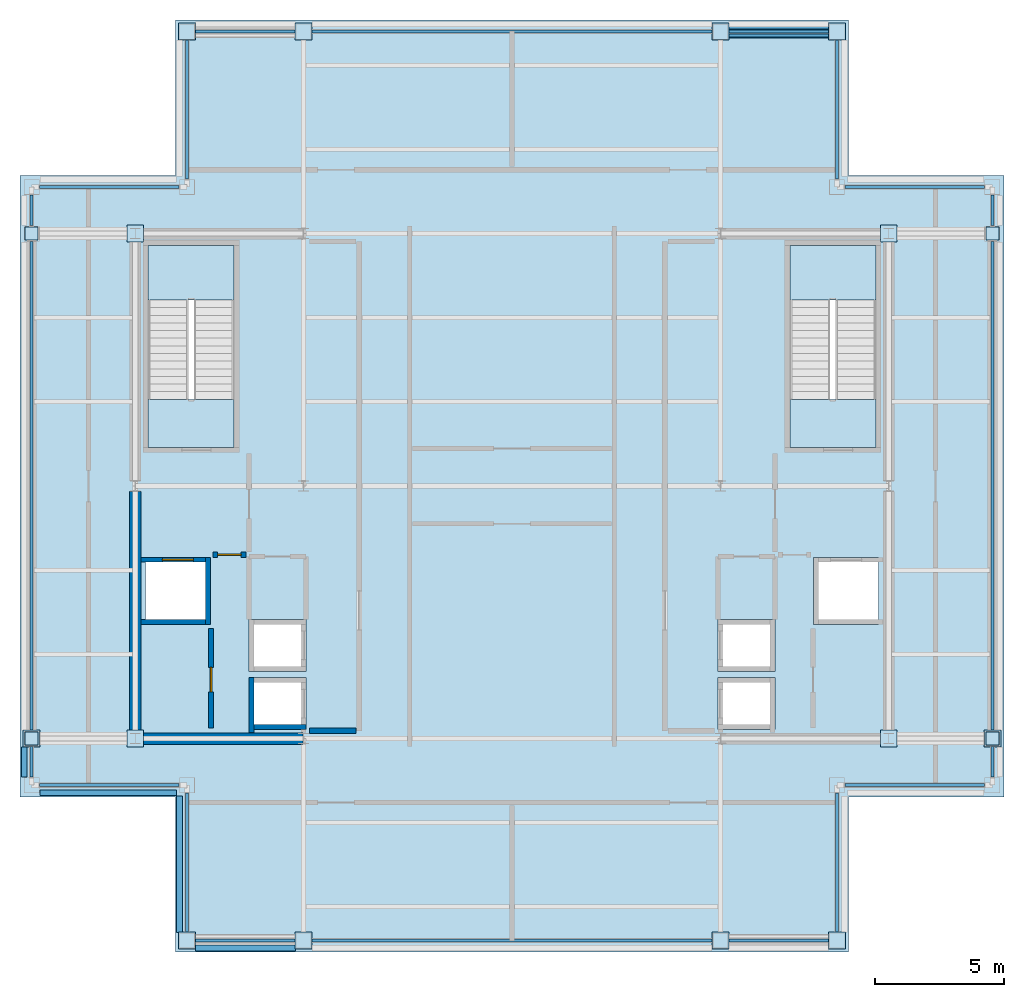
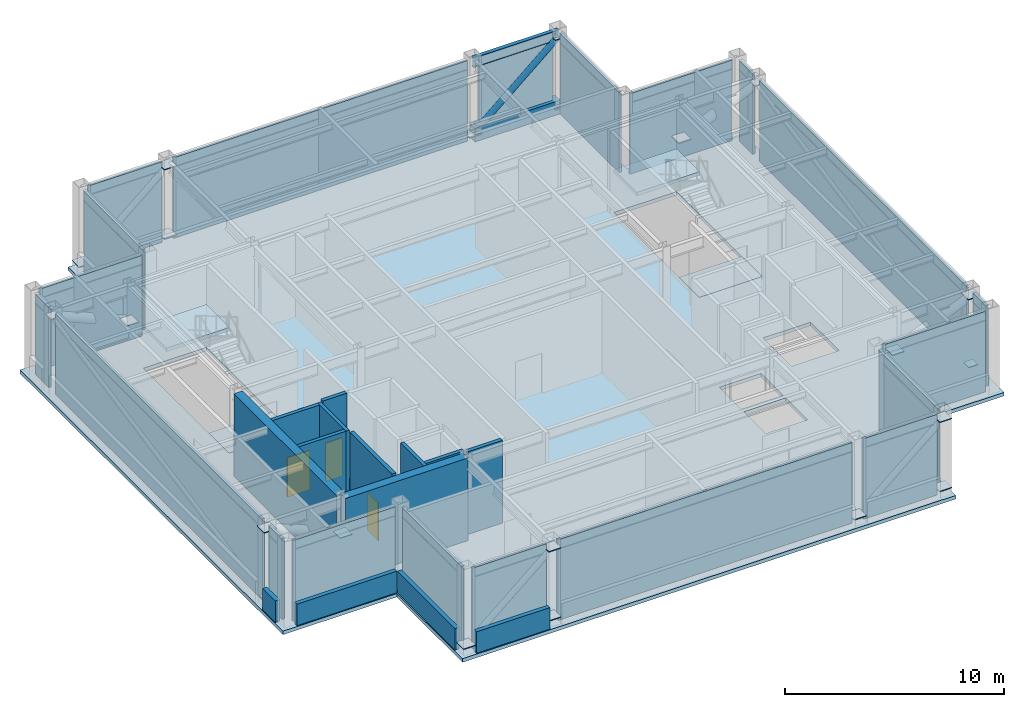
# One storey, part 2 of 6: 42 plates, 14 walls, 5 slabs, 3 doors, 2 members, 1 beam, 3 openings, 2 elements without a shape of their own.
"""IFC4 building model written with IfcOpenShell, lengths in metres."""

from ifc_helpers import new_model, si_unit, direction, frame, frame_2d, origin, origin_2d, place, context, subcontext, project, spatial, polyline, rectangle, hollow_rectangle, hollow_circle, i_section, outline, extrude, material, layer, layer_set, material_profile, profile_set, type_object, element, fill, aggregate, save


model = new_model("IFC4")

# Units and contexts
model_context = context("Model", 3, precision=1e-05, world=origin(), true_north=direction((0.0, 1.0)))
body_context = subcontext(model_context, "Body", "Model", "MODEL_VIEW")
ifc_project = project(units=[si_unit("LENGTHUNIT", "METRE"), si_unit("AREAUNIT", "SQUARE_METRE"), si_unit("VOLUMEUNIT", "CUBIC_METRE"), si_unit("PLANEANGLEUNIT", "RADIAN"), si_unit("MASSUNIT", "GRAM", prefix="KILO")], contexts=[model_context])

# Site, building, storey
site_placement = place(None, origin())
site = spatial("IfcSite", under=ifc_project, at=site_placement, CompositionType="ELEMENT")
building_placement = place(site_placement, origin())
building = spatial("IfcBuilding", under=site, at=building_placement, Name="Brelmoor Portico Tower", CompositionType="ELEMENT")
storey_placement = place(building_placement, frame((0.0, 0.0, 276.0)))
storey = spatial("IfcBuildingStorey", under=building, at=storey_placement, Name="L73", CompositionType="ELEMENT", Elevation=276.0)

# Beam
ifc_material_1 = material(Name="Steel Q355B", Category="steel")
ifc_material_profile_1 = material_profile(ifc_material_1, i_section(OverallWidth=0.199951171875, OverallDepth=0.550048828125, WebThickness=0.010009765625, FlangeThickness=0.01611328125, at=origin_2d()), Name="HN 550x200x10x16")
ifc_profile_set_1 = profile_set([ifc_material_profile_1], Name="Steel Q355B")
beam_type = type_object("IfcBeamType", Name="BM-SP-550", PredefinedType="SPANDREL", material=ifc_profile_set_1)
beam_placement = place(storey_placement, frame((8.050048828125, 17.550048828125, 4.324951171875), z_axis=(1.0, 0.0, 0.0), x_axis=(0.0, 1.0, 0.0)))
element("IfcBeam", 1, at=beam_placement, inside=storey, type_object=beam_type, Name="L73 Perimeter Spandrel Beam SP-10", PredefinedType="SPANDREL", context=body_context, shape_type="SweptSolid", body=[
    extrude(i_section(OverallWidth=0.199951171875, OverallDepth=0.550048828125, WebThickness=0.010009765625, FlangeThickness=0.01611328125, at=origin_2d()), origin(), (0.0, 0.0, 1.0), 4.5),
])

# Members
ifc_material_profile_2 = material_profile(ifc_material_1, hollow_rectangle(XDim=0.5, YDim=0.75, WallThickness=0.030029296875, at=origin_2d()), Name="RHS 500x750x30")
ifc_profile_set_2 = profile_set([ifc_material_profile_2], Name="Steel Q355B")
member_type_1 = type_object("IfcMemberType", Name="MB-BELT-CHORD", PredefinedType="CHORD", material=ifc_profile_set_2)
member_1_placement = place(storey_placement, frame((8.050048828125, 17.550048828125, 0.39990234375), z_axis=(1.0, 0.0, 0.0), x_axis=(0.0, 1.0, 0.0)))
element("IfcMember", 2, at=member_1_placement, inside=storey, type_object=member_type_1, Name="L73 Belt Truss Bottom Chord BC-04", PredefinedType="CHORD", context=body_context, shape_type="SweptSolid", body=[
    extrude(hollow_rectangle(XDim=0.5, YDim=0.75, WallThickness=0.030029296875, at=origin_2d()), origin(), (0.0, 0.0, 1.0), 4.5),
])
ifc_material_profile_3 = material_profile(ifc_material_1, hollow_circle(Radius=0.212890625, WallThickness=0.02001953125, at=origin_2d()), Name="CHS 426x20")
ifc_profile_set_3 = profile_set([ifc_material_profile_3], Name="Steel Q355B")
member_type_2 = type_object("IfcMemberType", Name="MB-BELT-DIAG1", PredefinedType="BRACE", material=ifc_profile_set_3)
member_2_placement = place(storey_placement, frame((8.050048828125, 17.550048828125, 0.39990234375), z_axis=(0.759844100981, 0.0, 0.650105331623), x_axis=(0.0, 1.0, 0.0)))
element("IfcMember", 3, at=member_2_placement, inside=storey, type_object=member_type_2, Name="L73 Belt Truss Diagonal BT-04A", PredefinedType="BRACE", context=body_context, shape_type="SweptSolid", body=[
    extrude(hollow_circle(Radius=0.212890625, WallThickness=0.02001953125, at=origin_2d()), origin(), (0.0, 0.0, 1.0), 5.92236328125),
])

# Plates
ifc_layer_1 = layer(ifc_material_1, 0.035888671875)
ifc_layer_set_1 = layer_set([ifc_layer_1], Name="Steel Q355B")
plate_type_1 = type_object("IfcPlateType", Name="PT-CAP-500", PredefinedType="SHEET", material=ifc_layer_set_1)
for number, where, z_axis, x_axis, name in (
    (4, (-18.550048828125, -9.75, 0.3818359375), (0.0, 0.0, 1.0), (1.0, 0.0, 0.0), "L73 Belt Truss Diagonal BT-05B Joint Cap Plate 1"),
    (5, (-18.550048828125, 9.75, 4.23193359375), (0.0, 0.0, 1.0), (1.0, 0.0, 0.0), "L73 Belt Truss Diagonal BT-05B Joint Cap Plate 2"),
    (6, (18.550048828125, -9.75, 0.3818359375), (0.0, 0.0, 1.0), (1.0, 0.0, 0.0), "L73 Belt Truss Diagonal BT-06B Joint Cap Plate 1"),
    (7, (18.550048828125, 9.75, 4.23193359375), (0.0, 0.0, 1.0), (1.0, 0.0, 0.0), "L73 Belt Truss Diagonal BT-06B Joint Cap Plate 2"),
):
    element("IfcPlate", number, at=place(storey_placement, frame(where, z_axis=z_axis, x_axis=x_axis)), inside=storey, type_object=plate_type_1, Name=name, PredefinedType="SHEET", context=body_context, shape_type="SweptSolid", body=[
        extrude(rectangle(XDim=0.5, YDim=0.5, at=origin_2d()), origin(), (0.0, 0.0, 1.0), 0.035888671875),
    ])
ifc_layer_2 = layer(ifc_material_1, 0.044921875)
ifc_layer_set_2 = layer_set([ifc_layer_2], Name="Steel Q355B")
plate_type_2 = type_object("IfcPlateType", Name="PT-CAP-650", PredefinedType="SHEET", material=ifc_layer_set_2)
for number, where, z_axis, x_axis, name in (
    (8, (-12.550048828125, -17.550048828125, 0.37744140625), (0.0, 0.0, 1.0), (1.0, 0.0, 0.0), "L73 Belt Truss Diagonal BT-01A Joint Cap Plate 1"),
    (9, (-8.050048828125, -17.550048828125, 4.2275390625), (0.0, 0.0, 1.0), (1.0, 0.0, 0.0), "L73 Belt Truss Diagonal BT-01A Joint Cap Plate 2"),
    (10, (-8.050048828125, -17.550048828125, 0.37744140625), (0.0, 0.0, 1.0), (1.0, 0.0, 0.0), "L73 Belt Truss Bottom Chord BC-01 Joint Cap Plate 2"),
    (11, (8.050048828125, -17.550048828125, 0.37744140625), (0.0, 0.0, 1.0), (1.0, 0.0, 0.0), "L73 Belt Truss Diagonal BT-02A Joint Cap Plate 1"),
    (12, (12.550048828125, -17.550048828125, 4.2275390625), (0.0, 0.0, 1.0), (1.0, 0.0, 0.0), "L73 Belt Truss Diagonal BT-02A Joint Cap Plate 2"),
    (13, (12.550048828125, -17.550048828125, 0.37744140625), (0.0, 0.0, 1.0), (1.0, 0.0, 0.0), "L73 Belt Truss Bottom Chord BC-02 Joint Cap Plate 2"),
    (14, (-12.550048828125, 17.550048828125, 0.37744140625), (0.0, 0.0, 1.0), (1.0, 0.0, 0.0), "L73 Belt Truss Diagonal BT-03A Joint Cap Plate 1"),
    (15, (-8.050048828125, 17.550048828125, 4.2275390625), (0.0, 0.0, 1.0), (1.0, 0.0, 0.0), "L73 Belt Truss Diagonal BT-03A Joint Cap Plate 2"),
    (16, (-8.050048828125, 17.550048828125, 0.37744140625), (0.0, 0.0, 1.0), (1.0, 0.0, 0.0), "L73 Belt Truss Bottom Chord BC-03 Joint Cap Plate 2"),
    (17, (8.050048828125, 17.550048828125, 0.37744140625), (0.0, 0.0, 1.0), (1.0, 0.0, 0.0), "L73 Belt Truss Diagonal BT-04A Joint Cap Plate 1"),
    (18, (12.550048828125, 17.550048828125, 4.2275390625), (0.0, 0.0, 1.0), (1.0, 0.0, 0.0), "L73 Belt Truss Diagonal BT-04A Joint Cap Plate 2"),
    (19, (12.550048828125, 17.550048828125, 0.37744140625), (0.0, 0.0, 1.0), (1.0, 0.0, 0.0), "L73 Belt Truss Bottom Chord BC-04 Joint Cap Plate 2"),
    (20, (-14.550048828125, -9.75, 2.527587890625), (0.0, 0.0, 1.0), (1.0, 0.0, 0.0), "L73 Outrigger Truss Diagonal OT-01 Joint Cap Plate 1"),
    (21, (-18.550048828125, -9.75, 4.2275390625), (0.0, 0.0, 1.0), (1.0, 0.0, 0.0), "L73 Outrigger Truss Diagonal OT-01 Joint Cap Plate 2"),
    (22, (14.550048828125, -9.75, 2.527587890625), (0.0, 0.0, 1.0), (1.0, 0.0, 0.0), "L73 Outrigger Truss Diagonal OT-02 Joint Cap Plate 1"),
    (23, (18.550048828125, -9.75, 4.2275390625), (0.0, 0.0, 1.0), (1.0, 0.0, 0.0), "L73 Outrigger Truss Diagonal OT-02 Joint Cap Plate 2"),
    (24, (-14.550048828125, 9.75, 2.527587890625), (0.0, 0.0, 1.0), (1.0, 0.0, 0.0), "L73 Outrigger Truss Diagonal OT-03 Joint Cap Plate 1"),
    (25, (14.550048828125, 9.75, 2.527587890625), (0.0, 0.0, 1.0), (1.0, 0.0, 0.0), "L73 Outrigger Truss Diagonal OT-04 Joint Cap Plate 1"),
):
    element("IfcPlate", number, at=place(storey_placement, frame(where, z_axis=z_axis, x_axis=x_axis)), inside=storey, type_object=plate_type_2, Name=name, PredefinedType="SHEET", context=body_context, shape_type="SweptSolid", body=[
        extrude(rectangle(XDim=0.64990234375, YDim=0.64990234375, at=origin_2d()), origin(), (0.0, 0.0, 1.0), 0.044921875),
    ])
ifc_material_2 = material(Name="Pale Champagne Anodised Aluminium Crown Screen", Category="aluminium")
ifc_layer_3 = layer(ifc_material_2, 0.06494140625)
ifc_layer_set_3 = layer_set([ifc_layer_3], Name="Pale Champagne Anodised Aluminium Crown Screen")
plate_type_3 = type_object("IfcPlateType", Name="PT-CROWN-LOUVRE", PredefinedType="SHEET", material=ifc_layer_set_3)
plate_1_placement = place(storey_placement, frame((-10.300048828125, -17.550048828125, 0.06005859375), z_axis=(0.0, 0.0, 1.0), x_axis=(1.0, 0.0, 0.0)))
element("IfcPlate", 26, at=plate_1_placement, inside=storey, type_object=plate_type_3, Name="L73 Plant Acoustic Screen Panel S-1", PredefinedType="SHEET", context=body_context, shape_type="SweptSolid", body=[
    extrude(rectangle(XDim=3.8798828125, YDim=0.1201171875, at=origin_2d()), origin(), (0.0, 0.0, 1.0), 4.47998046875),
])
plate_2_placement = place(storey_placement, frame((0.0, -17.550048828125, 0.06005859375), z_axis=(0.0, 0.0, 1.0), x_axis=(1.0, 0.0, 0.0)))
element("IfcPlate", 27, at=plate_2_placement, inside=storey, type_object=plate_type_3, Name="L73 Plant Acoustic Screen Panel S-2", PredefinedType="SHEET", context=body_context, shape_type="SweptSolid", body=[
    extrude(rectangle(XDim=15.47998046875, YDim=0.1201171875, at=origin_2d()), origin(), (0.0, 0.0, 1.0), 4.47998046875),
])
for number, where, z_axis, x_axis, name in (
    (28, (10.300048828125, -17.550048828125, 0.06005859375), (0.0, 0.0, 1.0), (1.0, 0.0, 0.0), "L73 Plant Acoustic Screen Panel S-3"),
    (29, (-10.300048828125, 17.550048828125, 0.06005859375), (0.0, 0.0, 1.0), (1.0, 0.0, 0.0), "L73 Plant Acoustic Screen Panel N-1"),
):
    element("IfcPlate", number, at=place(storey_placement, frame(where, z_axis=z_axis, x_axis=x_axis)), inside=storey, type_object=plate_type_3, Name=name, PredefinedType="SHEET", context=body_context, shape_type="SweptSolid", body=[
        extrude(rectangle(XDim=3.8798828125, YDim=0.1201171875, at=origin_2d()), origin(), (0.0, 0.0, 1.0), 4.47998046875),
    ])
plate_3_placement = place(storey_placement, frame((0.0, 17.550048828125, 0.06005859375), z_axis=(0.0, 0.0, 1.0), x_axis=(1.0, 0.0, 0.0)))
element("IfcPlate", 30, at=plate_3_placement, inside=storey, type_object=plate_type_3, Name="L73 Plant Acoustic Screen Panel N-2", PredefinedType="SHEET", context=body_context, shape_type="SweptSolid", body=[
    extrude(rectangle(XDim=15.47998046875, YDim=0.1201171875, at=origin_2d()), origin(), (0.0, 0.0, 1.0), 4.47998046875),
])
plate_4_placement = place(storey_placement, frame((10.300048828125, 17.550048828125, 0.06005859375), z_axis=(0.0, 0.0, 1.0), x_axis=(1.0, 0.0, 0.0)))
element("IfcPlate", 31, at=plate_4_placement, inside=storey, type_object=plate_type_3, Name="L73 Plant Acoustic Screen Panel N-3", PredefinedType="SHEET", context=body_context, shape_type="SweptSolid", body=[
    extrude(rectangle(XDim=3.8798828125, YDim=0.1201171875, at=origin_2d()), origin(), (0.0, 0.0, 1.0), 4.47998046875),
])
plate_5_placement = place(storey_placement, frame((-18.550048828125, -10.64990234375, 0.06005859375), z_axis=(0.0, 0.0, 1.0), x_axis=(0.0, 1.0, 0.0)))
element("IfcPlate", 32, at=plate_5_placement, inside=storey, type_object=plate_type_3, Name="L73 Plant Acoustic Screen Panel W-1", PredefinedType="SHEET", context=body_context, shape_type="SweptSolid", body=[
    extrude(rectangle(XDim=1.179931640625, YDim=0.1201171875, at=origin_2d()), origin(), (0.0, 0.0, 1.0), 4.47998046875),
])
plate_6_placement = place(storey_placement, frame((-18.550048828125, 0.0, 0.06005859375), z_axis=(0.0, 0.0, 1.0), x_axis=(0.0, 1.0, 0.0)))
element("IfcPlate", 33, at=plate_6_placement, inside=storey, type_object=plate_type_3, Name="L73 Plant Acoustic Screen Panel W-2", PredefinedType="SHEET", context=body_context, shape_type="SweptSolid", body=[
    extrude(rectangle(XDim=18.8798828125, YDim=0.1201171875, at=origin_2d()), origin(), (0.0, 0.0, 1.0), 4.47998046875),
])
for number, where, z_axis, x_axis, name in (
    (34, (-18.550048828125, 10.64990234375, 0.06005859375), (0.0, 0.0, 1.0), (0.0, 1.0, 0.0), "L73 Plant Acoustic Screen Panel W-3"),
    (35, (18.550048828125, -10.64990234375, 0.06005859375), (0.0, 0.0, 1.0), (0.0, 1.0, 0.0), "L73 Plant Acoustic Screen Panel E-1"),
):
    element("IfcPlate", number, at=place(storey_placement, frame(where, z_axis=z_axis, x_axis=x_axis)), inside=storey, type_object=plate_type_3, Name=name, PredefinedType="SHEET", context=body_context, shape_type="SweptSolid", body=[
        extrude(rectangle(XDim=1.179931640625, YDim=0.1201171875, at=origin_2d()), origin(), (0.0, 0.0, 1.0), 4.47998046875),
    ])
plate_7_placement = place(storey_placement, frame((18.550048828125, 0.0, 0.06005859375), z_axis=(0.0, 0.0, 1.0), x_axis=(0.0, 1.0, 0.0)))
element("IfcPlate", 36, at=plate_7_placement, inside=storey, type_object=plate_type_3, Name="L73 Plant Acoustic Screen Panel E-2", PredefinedType="SHEET", context=body_context, shape_type="SweptSolid", body=[
    extrude(rectangle(XDim=18.8798828125, YDim=0.1201171875, at=origin_2d()), origin(), (0.0, 0.0, 1.0), 4.47998046875),
])
plate_8_placement = place(storey_placement, frame((18.550048828125, 10.64990234375, 0.06005859375), z_axis=(0.0, 0.0, 1.0), x_axis=(0.0, 1.0, 0.0)))
element("IfcPlate", 37, at=plate_8_placement, inside=storey, type_object=plate_type_3, Name="L73 Plant Acoustic Screen Panel E-3", PredefinedType="SHEET", context=body_context, shape_type="SweptSolid", body=[
    extrude(rectangle(XDim=1.179931640625, YDim=0.1201171875, at=origin_2d()), origin(), (0.0, 0.0, 1.0), 4.47998046875),
])
for number, where, z_axis, x_axis, name in (
    (38, (-12.550048828125, -14.550048828125, 0.06005859375), (0.0, 0.0, 1.0), (0.0, 1.0, 0.0), "L73 Plant Acoustic Screen Panel SW1-1"),
    (39, (-15.550048828125, -11.550048828125, 0.06005859375), (0.0, 0.0, 1.0), (1.0, 0.0, 0.0), "L73 Plant Acoustic Screen Panel SW2-1"),
    (40, (12.550048828125, -14.550048828125, 0.06005859375), (0.0, 0.0, 1.0), (0.0, 1.0, 0.0), "L73 Plant Acoustic Screen Panel SE1-1"),
    (41, (15.550048828125, -11.550048828125, 0.06005859375), (0.0, 0.0, 1.0), (1.0, 0.0, 0.0), "L73 Plant Acoustic Screen Panel SE2-1"),
    (42, (-12.550048828125, 14.550048828125, 0.06005859375), (0.0, 0.0, 1.0), (0.0, 1.0, 0.0), "L73 Plant Acoustic Screen Panel NW1-1"),
    (43, (-15.550048828125, 11.550048828125, 0.06005859375), (0.0, 0.0, 1.0), (1.0, 0.0, 0.0), "L73 Plant Acoustic Screen Panel NW2-1"),
    (44, (12.550048828125, 14.550048828125, 0.06005859375), (0.0, 0.0, 1.0), (0.0, 1.0, 0.0), "L73 Plant Acoustic Screen Panel NE1-1"),
    (45, (15.550048828125, 11.550048828125, 0.06005859375), (0.0, 0.0, 1.0), (1.0, 0.0, 0.0), "L73 Plant Acoustic Screen Panel NE2-1"),
):
    element("IfcPlate", number, at=place(storey_placement, frame(where, z_axis=z_axis, x_axis=x_axis)), inside=storey, type_object=plate_type_3, Name=name, PredefinedType="SHEET", context=body_context, shape_type="SweptSolid", body=[
        extrude(rectangle(XDim=5.3798828125, YDim=0.1201171875, at=origin_2d()), origin(), (0.0, 0.0, 1.0), 4.47998046875),
    ])

# Slab
ifc_material_3 = material(Name="Concrete C40", Category="concrete")
ifc_layer_4 = layer(ifc_material_3, 0.199951171875)
ifc_layer_set_4 = layer_set([ifc_layer_4], Name="Concrete C40")
slab_type_1 = type_object("IfcSlabType", Name="SL-FLOOR-200", PredefinedType="FLOOR", material=ifc_layer_set_4)
slab_1_placement = place(storey_placement, frame((0.0, 0.0, -0.199951171875)))
element("IfcSlab", 46, at=slab_1_placement, inside=storey, type_object=slab_type_1, Name="L73 Main Structural Floor Slab", PredefinedType="FLOOR", context=body_context, shape_type="SweptSolid", body=[
    extrude(outline(polyline([(-13.0, -18.0), (13.0, -18.0), (13.0, -12.0), (19.0, -12.0), (19.0, 12.0), (13.0, 12.0), (13.0, 18.0), (-13.0, 18.0), (-13.0, 12.0), (-19.0, 12.0), (-19.0, -12.0), (-13.0, -12.0), (-13.0, -18.0)]), holes=[polyline([(-10.72998046875, 1.5), (-10.72998046875, 9.300048828125), (-14.050048828125, 9.300048828125), (-14.050048828125, 1.5), (-10.72998046875, 1.5)]), polyline([(14.050048828125, 1.5), (14.050048828125, 9.300048828125), (10.72998046875, 9.300048828125), (10.72998046875, 1.5), (14.050048828125, 1.5)]), polyline([(-10.14990234375, -9.39990234375), (-7.949951171875, -9.39990234375), (-7.949951171875, -7.39990234375), (-10.14990234375, -7.39990234375), (-10.14990234375, -9.39990234375)]), polyline([(-10.14990234375, -7.14990234375), (-7.949951171875, -7.14990234375), (-7.949951171875, -5.14990234375), (-10.14990234375, -5.14990234375), (-10.14990234375, -7.14990234375)]), polyline([(7.949951171875, -9.39990234375), (10.14990234375, -9.39990234375), (10.14990234375, -7.39990234375), (7.949951171875, -7.39990234375), (7.949951171875, -9.39990234375)]), polyline([(7.949951171875, -7.14990234375), (10.14990234375, -7.14990234375), (10.14990234375, -5.14990234375), (7.949951171875, -5.14990234375), (7.949951171875, -7.14990234375)]), polyline([(-14.14990234375, -5.35009765625), (-11.64990234375, -5.35009765625), (-11.64990234375, -2.75), (-14.14990234375, -2.75), (-14.14990234375, -5.35009765625)]), polyline([(11.64990234375, -5.35009765625), (14.14990234375, -5.35009765625), (14.14990234375, -2.75), (11.64990234375, -2.75), (11.64990234375, -5.35009765625)])]), origin(), (0.0, 0.0, 1.0), 0.199951171875),
])

# Stair, slab
stair_type_1 = type_object("IfcStairType", Name="ST-CORE-W", PredefinedType="HALF_TURN_STAIR", material=ifc_material_3)
stair_1_placement = place(storey_placement, origin())
stair_1 = element("IfcStair", 47, at=stair_1_placement, inside=storey, type_object=stair_type_1, Name="L73 Protected Core Exit Stair ST-W", PredefinedType="HALF_TURN_STAIR")
ifc_layer_5 = layer(ifc_material_3, 0.179931640625)
ifc_layer_set_5 = layer_set([ifc_layer_5], Name="Concrete C40")
slab_type_2 = type_object("IfcSlabType", Name="SL-LANDING-180", PredefinedType="LANDING", material=ifc_layer_set_5)
slab_2_placement = place(storey_placement, frame((0.0, 0.0, 2.199951171875)))
slab_2 = element("IfcSlab", 48, at=slab_2_placement, type_object=slab_type_2, Name="ST-W landing 1", PredefinedType="LANDING", context=body_context, shape_type="SweptSolid", body=[
    extrude(outline(polyline([(-10.72998046875, 7.18505859375), (-10.72998046875, 9.300048828125), (-14.050048828125, 9.300048828125), (-14.050048828125, 7.18505859375), (-10.72998046875, 7.18505859375)])), origin(), (0.0, 0.0, 1.0), 0.199951171875),
])
aggregate(stair_1, [slab_2])

stair_type_2 = type_object("IfcStairType", Name="ST-CORE-E", PredefinedType="HALF_TURN_STAIR", material=ifc_material_3)
stair_2_placement = place(storey_placement, origin())
stair_2 = element("IfcStair", 49, at=stair_2_placement, inside=storey, type_object=stair_type_2, Name="L73 Protected Core Exit Stair ST-E", PredefinedType="HALF_TURN_STAIR")
slab_3_placement = place(storey_placement, frame((0.0, 0.0, 2.199951171875)))
slab_3 = element("IfcSlab", 50, at=slab_3_placement, type_object=slab_type_2, Name="ST-E landing 1", PredefinedType="LANDING", context=body_context, shape_type="SweptSolid", body=[
    extrude(outline(polyline([(14.050048828125, 7.18505859375), (14.050048828125, 9.300048828125), (10.72998046875, 9.300048828125), (10.72998046875, 7.18505859375), (14.050048828125, 7.18505859375)])), origin(), (0.0, 0.0, 1.0), 0.199951171875),
])
aggregate(stair_2, [slab_3])

# Slabs
ifc_layer_6 = layer(ifc_material_3, 0.199951171875)
ifc_layer_set_6 = layer_set([ifc_layer_6], Name="Concrete C40")
slab_type_3 = type_object("IfcSlabType", Name="SL-STAIR-FL200", PredefinedType="LANDING", material=ifc_layer_set_6)
slab_4_placement = place(storey_placement, frame((0.0, 0.0, -0.199951171875)))
element("IfcSlab", 51, at=slab_4_placement, inside=storey, type_object=slab_type_3, Name="L73 ST-W Structural Floor Landing Slab", PredefinedType="LANDING", context=body_context, shape_type="SweptSolid", body=[
    extrude(outline(polyline([(-10.72998046875, 1.5), (-10.72998046875, 3.35009765625), (-14.050048828125, 3.35009765625), (-14.050048828125, 1.5), (-10.72998046875, 1.5)])), origin(), (0.0, 0.0, 1.0), 0.199951171875),
])
slab_5_placement = place(storey_placement, frame((0.0, 0.0, -0.199951171875)))
element("IfcSlab", 52, at=slab_5_placement, inside=storey, type_object=slab_type_3, Name="L73 ST-E Structural Floor Landing Slab", PredefinedType="LANDING", context=body_context, shape_type="SweptSolid", body=[
    extrude(outline(polyline([(14.050048828125, 1.5), (14.050048828125, 3.35009765625), (10.72998046875, 3.35009765625), (10.72998046875, 1.5), (14.050048828125, 1.5)])), origin(), (0.0, 0.0, 1.0), 0.199951171875),
])

# Walls
ifc_material_4 = material(Name="Concrete C50", Category="concrete")
ifc_layer_7 = layer(ifc_material_4, 0.449951171875)
ifc_layer_set_7 = layer_set([ifc_layer_7], Name="Concrete C50")
wall_type_1 = type_object("IfcWallType", Name="WL-CORE-450", PredefinedType="SHEAR", material=ifc_layer_set_7)
wall_1_placement = place(storey_placement, frame((-14.530029296875, -9.75, -0.199951171875), z_axis=(0.0, 0.0, 1.0), x_axis=(1.0, 0.0, 0.0)))
element("IfcWall", 53, at=wall_1_placement, inside=storey, type_object=wall_type_1, Name="L73 WC South Shear Wall", PredefinedType="SHEAR", context=body_context, shape_type="SweptSolid", body=[
    extrude(rectangle(XDim=6.4599609375, YDim=0.449951171875, at=frame_2d((3.22998046875, 0.0))), origin(), (0.0, 0.0, 1.0), 4.800048828125),
])
wall_2_placement = place(storey_placement, frame((-14.550048828125, -9.550048828125, -0.199951171875), z_axis=(0.0, 0.0, 1.0), x_axis=(0.0, 1.0, 0.0)))
element("IfcWall", 54, at=wall_2_placement, inside=storey, type_object=wall_type_1, Name="L73 WC Outer South Shear Wall", PredefinedType="SHEAR", context=body_context, shape_type="SweptSolid", body=[
    extrude(rectangle(XDim=9.35009765625, YDim=0.449951171875, at=frame_2d((4.675048828125, 0.0))), origin(), (0.0, 0.0, 1.0), 4.800048828125),
])
ifc_material_5 = material(Name="Concrete C40 Parapet Upstand", Category="concrete")
ifc_layer_8 = layer(ifc_material_5, 0.219970703125)
ifc_layer_set_8 = layer_set([ifc_layer_8], Name="Concrete C40 Parapet Upstand")
wall_type_2 = type_object("IfcWallType", Name="WL-PARAPET-220", PredefinedType="PARAPET", material=ifc_layer_set_8)
wall_3_placement = place(storey_placement, frame((-12.22998046875, -17.840087890625, 0.0), z_axis=(0.0, 0.0, 1.0), x_axis=(1.0, 0.0, 0.0)))
element("IfcWall", 55, at=wall_3_placement, inside=storey, type_object=wall_type_2, Name="L73 Plant Louvre Perimeter Upstand 01", PredefinedType="PARAPET", context=body_context, shape_type="SweptSolid", body=[
    extrude(rectangle(XDim=3.85986328125, YDim=0.219970703125, at=frame_2d((1.929931640625, 0.0))), origin(), (0.0, 0.0, 1.0), 1.199951171875),
])
wall_4_placement = place(storey_placement, frame((-18.840087890625, -10.070068359375, 0.0), z_axis=(0.0, 0.0, 1.0), x_axis=(0.0, -1.0, 0.0)))
element("IfcWall", 56, at=wall_4_placement, inside=storey, type_object=wall_type_2, Name="L73 Plant Louvre Perimeter Upstand 18", PredefinedType="PARAPET", context=body_context, shape_type="SweptSolid", body=[
    extrude(rectangle(XDim=1.159912109375, YDim=0.219970703125, at=frame_2d((0.580078125, 0.0))), origin(), (0.0, 0.0, 1.0), 1.199951171875),
])
for number, where, z_axis, x_axis, name in (
    (57, (-18.22998046875, -11.840087890625, 0.0), (0.0, 0.0, 1.0), (1.0, 0.0, 0.0), "L73 Plant Louvre Perimeter Upstand 19"),
    (58, (-12.840087890625, -11.9599609375, 0.0), (0.0, 0.0, 1.0), (0.0, -1.0, 0.0), "L73 Plant Louvre Perimeter Upstand 20"),
):
    element("IfcWall", number, at=place(storey_placement, frame(where, z_axis=z_axis, x_axis=x_axis)), inside=storey, type_object=wall_type_2, Name=name, PredefinedType="PARAPET", context=body_context, shape_type="SweptSolid", body=[
        extrude(rectangle(XDim=5.27001953125, YDim=0.219970703125, at=frame_2d((2.635009765625, 0.0))), origin(), (0.0, 0.0, 1.0), 1.199951171875),
    ])
ifc_material_6 = material(Name="Double-Stud Gypsum Fire Partition", Category="gypsum")
ifc_layer_9 = layer(ifc_material_6, 0.199951171875)
ifc_layer_set_9 = layer_set([ifc_layer_9], Name="Double-Stud Gypsum Fire Partition")
wall_type_3 = type_object("IfcWallType", Name="WL-PART-200", PredefinedType="PARTITIONING", material=ifc_layer_set_9)
wall_5_placement = place(storey_placement, frame((-6.02001953125, -9.449951171875, 0.0), z_axis=(0.0, 0.0, 1.0), x_axis=(-1.0, 0.0, 0.0)))
element("IfcWall", 59, at=wall_5_placement, inside=storey, type_object=wall_type_3, Name="L73 W Lift Lobby South End Wall", PredefinedType="PARTITIONING", context=body_context, shape_type="SweptSolid", body=[
    extrude(rectangle(XDim=1.800048828125, YDim=0.199951171875, at=frame_2d((0.89990234375, 0.0))), origin(), (0.0, 0.0, 1.0), 4.60009765625),
])

# Wall, opening, door
wall_6_placement = place(storey_placement, frame((-10.280029296875, -2.64990234375, 0.0), z_axis=(0.0, 0.0, 1.0), x_axis=(-1.0, 0.0, 0.0)))
wall_6 = element("IfcWall", 60, at=wall_6_placement, inside=storey, type_object=wall_type_3, Name="L73 W Firefighting Lobby South Wall", PredefinedType="PARTITIONING", context=body_context, shape_type="SweptSolid", body=[
    extrude(rectangle(XDim=1.27001953125, YDim=0.199951171875, at=frame_2d((0.635009765625, 0.0))), origin(), (0.0, 0.0, 1.0), 4.60009765625),
])
opening_1_placement = place(wall_6_placement, frame((0.18505859375, 0.0, 0.0)))
opening_1 = element("IfcOpeningElement", 61, at=opening_1_placement, cuts=wall_6, Name="Opening D-IN1", PredefinedType="OPENING", context=body_context, shape_type="SweptSolid", body=[
    extrude(rectangle(XDim=0.89990234375, YDim=2.14990234375, at=frame_2d((0.449951171875, 1.074951171875))), frame((0.0, 0.10986328125, 0.0), z_axis=(0.0, -1.0, 0.0), x_axis=(1.0, 0.0, 0.0)), (0.0, 0.0, 1.0), 0.219970703125),
])
ifc_material_7 = material(Name="Lacquered Timber Suite Door", Category="wood")
door_type_1 = type_object("IfcDoorType", Name="DR-INT-900", OperationType="NOTDEFINED", PredefinedType="DOOR", material=ifc_material_7)
door_1_placement = place(opening_1_placement, origin())
door_1 = element("IfcDoor", 62, at=door_1_placement, inside=storey, type_object=door_type_1, Name="D-2980 L73 W Core Service Vestibule Door", OperationType="SINGLE_SWING_LEFT", OverallHeight=2.14990234375, OverallWidth=0.89990234375, PredefinedType="DOOR", context=body_context, shape_type="SweptSolid", body=[
    extrude(rectangle(XDim=0.89990234375, YDim=2.14990234375, at=frame_2d((0.449951171875, 1.074951171875))), frame((0.0, 0.02490234375, 0.0), z_axis=(0.0, -1.0, 0.0), x_axis=(1.0, 0.0, 0.0)), (0.0, 0.0, 1.0), 0.050048828125),
])
fill(opening_1, door_1)

wall_7_placement = place(storey_placement, frame((-11.6201171875, -9.35009765625, 0.0), z_axis=(0.0, 0.0, 1.0), x_axis=(0.0, 1.0, 0.0)))
wall_7 = element("IfcWall", 63, at=wall_7_placement, inside=storey, type_object=wall_type_3, Name="L73 W Mechanical Equipment Closet Wall", PredefinedType="PARTITIONING", context=body_context, shape_type="SweptSolid", body=[
    extrude(rectangle(XDim=3.85009765625, YDim=0.199951171875, at=frame_2d((1.925048828125, 0.0))), origin(), (0.0, 0.0, 1.0), 4.60009765625),
])
opening_2_placement = place(wall_7_placement, frame((1.39990234375, 0.0, 0.0)))
opening_2 = element("IfcOpeningElement", 64, at=opening_2_placement, cuts=wall_7, Name="Opening D-FR4", PredefinedType="OPENING", context=body_context, shape_type="SweptSolid", body=[
    extrude(rectangle(XDim=0.949951171875, YDim=2.10009765625, at=frame_2d((0.47509765625, 1.050048828125))), frame((0.0, 0.10986328125, 0.0), z_axis=(0.0, -1.0, 0.0), x_axis=(1.0, 0.0, 0.0)), (0.0, 0.0, 1.0), 0.219970703125),
])
ifc_material_8 = material(Name="Painted Galvanised Steel Riser Door", Category="steel")
door_type_2 = type_object("IfcDoorType", Name="DR-FIRE-950", OperationType="NOTDEFINED", PredefinedType="DOOR", material=ifc_material_8)
door_2_placement = place(opening_2_placement, origin())
door_2 = element("IfcDoor", 65, at=door_2_placement, inside=storey, type_object=door_type_2, Name="D-2978 L73 W Mechanical Equipment Closet Door", OperationType="SINGLE_SWING_LEFT", OverallHeight=2.10009765625, OverallWidth=0.949951171875, PredefinedType="DOOR", context=body_context, shape_type="SweptSolid", body=[
    extrude(rectangle(XDim=0.949951171875, YDim=2.10009765625, at=frame_2d((0.47509765625, 1.050048828125))), frame((0.0, 0.02490234375, 0.0), z_axis=(0.0, -1.0, 0.0), x_axis=(1.0, 0.0, 0.0)), (0.0, 0.0, 1.0), 0.050048828125),
])
fill(opening_2, door_2)

# Walls
ifc_material_9 = material(Name="Precast Concrete C40", Category="concrete")
ifc_layer_10 = layer(ifc_material_9, 0.18994140625)
ifc_layer_set_10 = layer_set([ifc_layer_10], Name="Precast Concrete C40")
wall_type_4 = type_object("IfcWallType", Name="WL-SHAFT-180", PredefinedType="SOLIDWALL", material=ifc_layer_set_10)
wall_8_placement = place(storey_placement, frame((-10.054931640625, -9.52001953125, -0.199951171875), z_axis=(0.0, 0.0, 1.0), x_axis=(0.0, 1.0, 0.0)))
element("IfcWall", 66, at=wall_8_placement, inside=storey, type_object=wall_type_4, Name="L73 Lift PH1 Hoistway Back Wall", PredefinedType="SOLIDWALL", context=body_context, shape_type="SweptSolid", body=[
    extrude(rectangle(XDim=2.1201171875, YDim=0.18994140625, at=frame_2d((1.06005859375, 0.0))), origin(), (0.0, 0.0, 1.0), 4.800048828125),
])
wall_9_placement = place(storey_placement, frame((-10.14990234375, -9.304931640625, -0.199951171875), z_axis=(0.0, 0.0, 1.0), x_axis=(1.0, 0.0, 0.0)))
element("IfcWall", 67, at=wall_9_placement, inside=storey, type_object=wall_type_4, Name="L73 Lift PH1 Hoistway South Wall", PredefinedType="SOLIDWALL", context=body_context, shape_type="SweptSolid", body=[
    extrude(rectangle(XDim=2.199951171875, YDim=0.18994140625, at=frame_2d((1.10009765625, 0.0))), origin(), (0.0, 0.0, 1.0), 4.800048828125),
])

# Wall, opening, door
wall_10_placement = place(storey_placement, frame((-14.330078125, -2.844970703125, -0.199951171875), z_axis=(0.0, 0.0, 1.0), x_axis=(1.0, 0.0, 0.0)))
wall_10 = element("IfcWall", 68, at=wall_10_placement, inside=storey, type_object=wall_type_4, Name="L73 Lift FF1 Hoistway Front Wall", PredefinedType="SOLIDWALL", context=body_context, shape_type="SweptSolid", body=[
    extrude(rectangle(XDim=2.68017578125, YDim=0.18994140625, at=frame_2d((1.340087890625, 0.0))), origin(), (0.0, 0.0, 1.0), 4.800048828125),
])
opening_3_placement = place(wall_10_placement, frame((0.830078125, 0.0, 0.199951171875)))
opening_3 = element("IfcOpeningElement", 69, at=opening_3_placement, cuts=wall_10, Name="Opening LD-02", PredefinedType="OPENING", context=body_context, shape_type="SweptSolid", body=[
    extrude(rectangle(XDim=1.199951171875, YDim=2.199951171875, at=frame_2d((0.60009765625, 1.10009765625))), frame((0.0, 0.10498046875, 0.0), z_axis=(0.0, -1.0, 0.0), x_axis=(1.0, 0.0, 0.0)), (0.0, 0.0, 1.0), 0.2099609375),
])
ifc_material_10 = material(Name="Brushed Stainless Steel Firefighting Lift Door", Category="steel")
door_type_3 = type_object("IfcDoorType", Name="DR-LIFT-1200", OperationType="NOTDEFINED", PredefinedType="DOOR", material=ifc_material_10)
door_3_placement = place(opening_3_placement, origin())
door_3 = element("IfcDoor", 70, at=door_3_placement, inside=storey, type_object=door_type_3, Name="D-2997 L73 Lift FF1 Sliding Landing Door", OperationType="SLIDING_TO_LEFT", OverallHeight=2.199951171875, OverallWidth=1.199951171875, PredefinedType="DOOR", context=body_context, shape_type="SweptSolid", body=[
    extrude(rectangle(XDim=1.199951171875, YDim=2.199951171875, at=frame_2d((0.60009765625, 1.10009765625))), frame((0.0, 0.02490234375, 0.0), z_axis=(0.0, -1.0, 0.0), x_axis=(1.0, 0.0, 0.0)), (0.0, 0.0, 1.0), 0.050048828125),
])
fill(opening_3, door_3)

# Walls
wall_11_placement = place(storey_placement, frame((-14.330078125, -5.2548828125, -0.199951171875), z_axis=(0.0, 0.0, 1.0), x_axis=(1.0, 0.0, 0.0)))
element("IfcWall", 71, at=wall_11_placement, inside=storey, type_object=wall_type_4, Name="L73 Firefighting Lift FF1 South Wall", PredefinedType="SOLIDWALL", context=body_context, shape_type="SweptSolid", body=[
    extrude(rectangle(XDim=2.68017578125, YDim=0.18994140625, at=frame_2d((1.340087890625, 0.0))), origin(), (0.0, 0.0, 1.0), 4.800048828125),
])
wall_12_placement = place(storey_placement, frame((-11.7451171875, -5.35009765625, -0.199951171875), z_axis=(0.0, 0.0, 1.0), x_axis=(0.0, 1.0, 0.0)))
element("IfcWall", 72, at=wall_12_placement, inside=storey, type_object=wall_type_4, Name="L73 Firefighting Lift FF1 Inner Wall", PredefinedType="SOLIDWALL", context=body_context, shape_type="SweptSolid", body=[
    extrude(rectangle(XDim=2.60009765625, YDim=0.18994140625, at=frame_2d((1.300048828125, 0.0))), origin(), (0.0, 0.0, 1.0), 4.800048828125),
])

save(model, "model.ifc")
